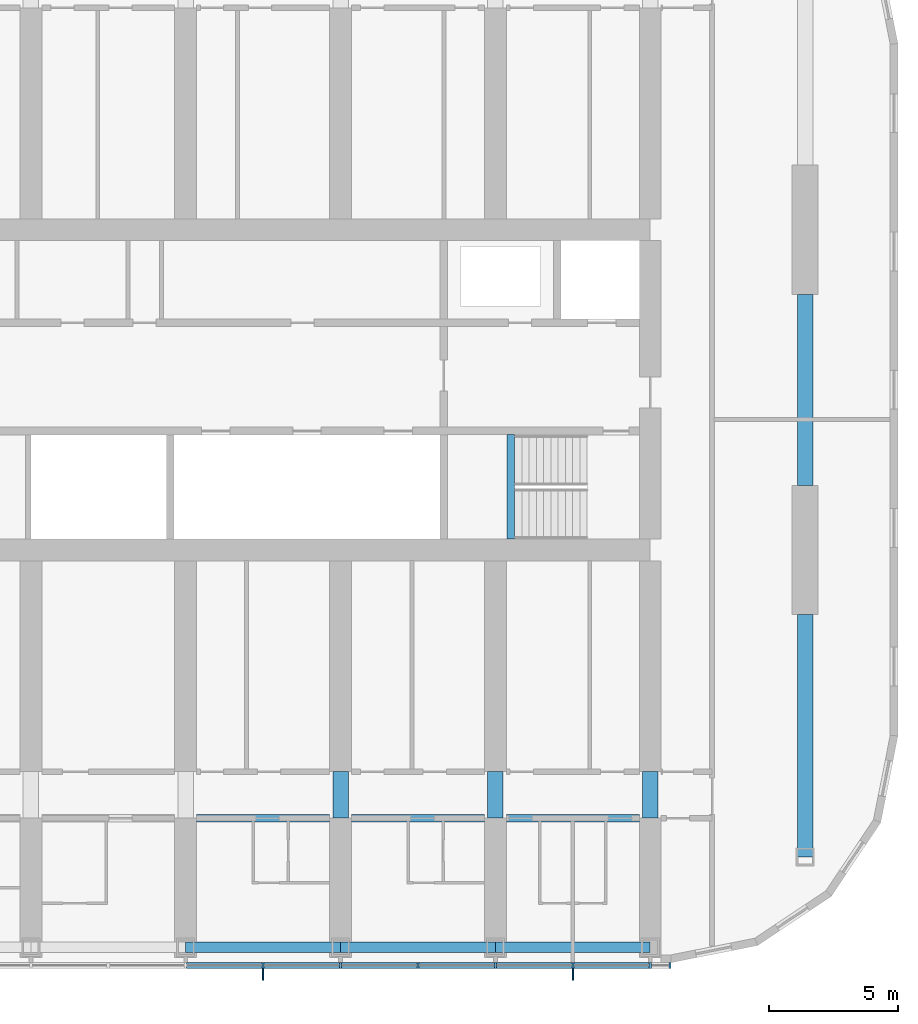
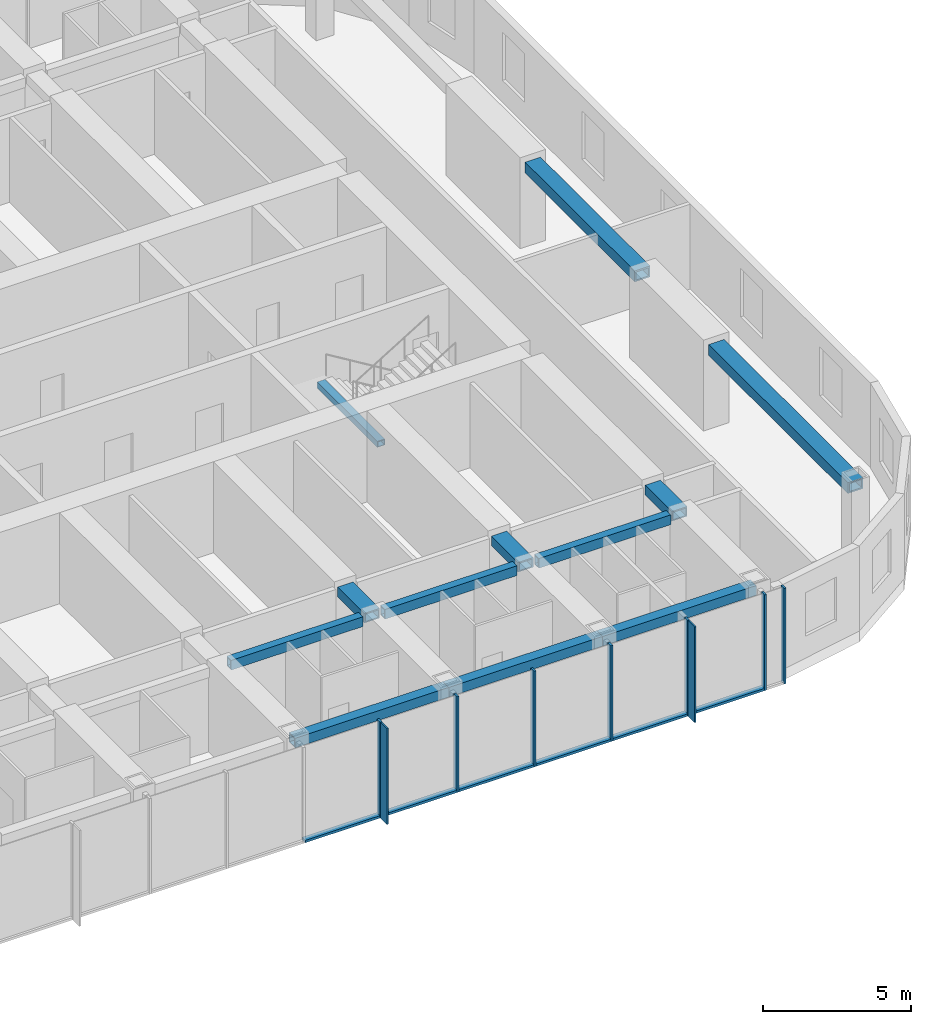
# One storey, part 5 of 27: 15 members, 12 beams, 1 element without a shape of its own.
"""IFC4 building model written with IfcOpenShell, lengths in metres."""

from ifc_helpers import new_model, si_unit, direction, frame, origin, origin_2d, place, context, subcontext, project, spatial, rectangle, hollow_rectangle, extrude, material, material_profile, profile_set, type_object, element, aggregate, save


model = new_model("IFC4")

# Units and contexts
model_context = context("Model", 3, precision=1e-05, world=origin(), true_north=direction((0.0, 1.0)))
body_context = subcontext(model_context, "Body", "Model", "MODEL_VIEW")
ifc_project = project(units=[si_unit("LENGTHUNIT", "METRE"), si_unit("AREAUNIT", "SQUARE_METRE"), si_unit("VOLUMEUNIT", "CUBIC_METRE"), si_unit("PLANEANGLEUNIT", "RADIAN"), si_unit("MASSUNIT", "GRAM", prefix="KILO")], contexts=[model_context])

# Site, building, storey
site_placement = place(None, origin())
site = spatial("IfcSite", under=ifc_project, at=site_placement, CompositionType="ELEMENT")
building_placement = place(site_placement, origin())
building = spatial("IfcBuilding", under=site, at=building_placement, Name="Orbita Commons", CompositionType="ELEMENT")
storey_placement = place(building_placement, frame((0.0, 0.0, 178.60009765625)))
storey = spatial("IfcBuildingStorey", under=building, at=storey_placement, Name="L44", CompositionType="ELEMENT", Elevation=178.60009765625)

# Curtain wall, members
ifc_material_1 = material(Name="Anodised aluminium frame, pale silver", Category="aluminium")
curtain_wall_type = type_object("IfcCurtainWallType", Name="Unitised curtain wall CW-U, full-height vision", PredefinedType="NOTDEFINED", material=ifc_material_1)
curtain_wall_placement = place(storey_placement, origin())
curtain_wall = element("IfcCurtainWall", 1, at=curtain_wall_placement, inside=storey, type_object=curtain_wall_type, Name="Curtain wall south L44", PredefinedType="NOTDEFINED")
ifc_material_2 = material(Name="Anodised aluminium, pale silver", Category="aluminium")
ifc_material_profile_1 = material_profile(ifc_material_2, rectangle(XDim=0.080078125, YDim=0.219970703125, at=origin_2d()), Name="AL 80x220")
ifc_profile_set_1 = profile_set([ifc_material_profile_1], Name="Anodised aluminium, pale silver")
member_type_1 = type_object("IfcMemberType", Name="Curtain wall mullion 80x220", PredefinedType="MULLION", material=ifc_profile_set_1)
member_1_placement = place(storey_placement, frame((51.0, 9.68994140625, -0.4501953125), z_axis=(0.0, 0.0, 1.0), x_axis=(1.0, 0.0, 0.0)))
member_1 = element("IfcMember", 2, at=member_1_placement, type_object=member_type_1, Name="Mullion 13 CW-L44-S", PredefinedType="MULLION", context=body_context, shape_type="SweptSolid", body=[
    extrude(rectangle(XDim=0.080078125, YDim=0.219970703125, at=origin_2d()), origin(), (0.0, 0.0, 1.0), 3.9501953125),
])
member_2_placement = place(storey_placement, frame((54.0, 9.68994140625, -0.4501953125), z_axis=(0.0, 0.0, 1.0), x_axis=(1.0, 0.0, 0.0)))
member_2 = element("IfcMember", 3, at=member_2_placement, type_object=member_type_1, Name="Mullion 14 CW-L44-S", PredefinedType="MULLION", context=body_context, shape_type="SweptSolid", body=[
    extrude(rectangle(XDim=0.080078125, YDim=0.219970703125, at=origin_2d()), origin(), (0.0, 0.0, 1.0), 3.9501953125),
])
member_3_placement = place(storey_placement, frame((57.0, 9.68994140625, -0.4501953125), z_axis=(0.0, 0.0, 1.0), x_axis=(1.0, 0.0, 0.0)))
member_3 = element("IfcMember", 4, at=member_3_placement, type_object=member_type_1, Name="Mullion 15 CW-L44-S", PredefinedType="MULLION", context=body_context, shape_type="SweptSolid", body=[
    extrude(rectangle(XDim=0.080078125, YDim=0.219970703125, at=origin_2d()), origin(), (0.0, 0.0, 1.0), 3.9501953125),
])
member_4_placement = place(storey_placement, frame((60.0, 9.68994140625, -0.4501953125), z_axis=(0.0, 0.0, 1.0), x_axis=(1.0, 0.0, 0.0)))
member_4 = element("IfcMember", 5, at=member_4_placement, type_object=member_type_1, Name="Mullion 16 CW-L44-S", PredefinedType="MULLION", context=body_context, shape_type="SweptSolid", body=[
    extrude(rectangle(XDim=0.080078125, YDim=0.219970703125, at=origin_2d()), origin(), (0.0, 0.0, 1.0), 3.9501953125),
])
member_5_placement = place(storey_placement, frame((63.0, 9.68994140625, -0.4501953125), z_axis=(0.0, 0.0, 1.0), x_axis=(1.0, 0.0, 0.0)))
member_5 = element("IfcMember", 6, at=member_5_placement, type_object=member_type_1, Name="Mullion 17 CW-L44-S", PredefinedType="MULLION", context=body_context, shape_type="SweptSolid", body=[
    extrude(rectangle(XDim=0.080078125, YDim=0.219970703125, at=origin_2d()), origin(), (0.0, 0.0, 1.0), 3.9501953125),
])
member_6_placement = place(storey_placement, frame((66.0, 9.68994140625, -0.4501953125), z_axis=(0.0, 0.0, 1.0), x_axis=(1.0, 0.0, 0.0)))
member_6 = element("IfcMember", 7, at=member_6_placement, type_object=member_type_1, Name="Mullion 18 CW-L44-S", PredefinedType="MULLION", context=body_context, shape_type="SweptSolid", body=[
    extrude(rectangle(XDim=0.080078125, YDim=0.219970703125, at=origin_2d()), origin(), (0.0, 0.0, 1.0), 3.9501953125),
])
member_7_placement = place(storey_placement, frame((66.760009765625, 9.68994140625, -0.4501953125), z_axis=(0.0, 0.0, 1.0), x_axis=(1.0, 0.0, 0.0)))
member_7 = element("IfcMember", 8, at=member_7_placement, type_object=member_type_1, Name="Mullion 19 CW-L44-S", PredefinedType="MULLION", context=body_context, shape_type="SweptSolid", body=[
    extrude(rectangle(XDim=0.080078125, YDim=0.219970703125, at=origin_2d()), origin(), (0.0, 0.0, 1.0), 3.9501953125),
])
ifc_material_3 = material(Name="Anodised aluminium, pale silver", Category="aluminium")
ifc_material_profile_2 = material_profile(ifc_material_3, rectangle(XDim=0.219970703125, YDim=0.10009765625, at=origin_2d()), Name="AL 220x100")
ifc_profile_set_2 = profile_set([ifc_material_profile_2], Name="Anodised aluminium, pale silver")
member_type_2 = type_object("IfcMemberType", Name="Curtain wall stack transom 220x100", PredefinedType="USERDEFINED", material=ifc_profile_set_2)
member_8_placement = place(storey_placement, frame((48.0400390625, 9.68994140625, -0.400146484375), z_axis=(1.0, 0.0, 0.0), x_axis=(0.0, 1.0, 0.0)))
member_8 = element("IfcMember", 9, at=member_8_placement, type_object=member_type_2, Name="Transom 12.1 CW-L44-S", ObjectType="TRANSOM", PredefinedType="USERDEFINED", context=body_context, shape_type="SweptSolid", body=[
    extrude(rectangle(XDim=0.219970703125, YDim=0.10009765625, at=origin_2d()), origin(), (0.0, 0.0, 1.0), 2.919921875),
])
member_9_placement = place(storey_placement, frame((51.0400390625, 9.68994140625, -0.400146484375), z_axis=(1.0, 0.0, 0.0), x_axis=(0.0, 1.0, 0.0)))
member_9 = element("IfcMember", 10, at=member_9_placement, type_object=member_type_2, Name="Transom 13.1 CW-L44-S", ObjectType="TRANSOM", PredefinedType="USERDEFINED", context=body_context, shape_type="SweptSolid", body=[
    extrude(rectangle(XDim=0.219970703125, YDim=0.10009765625, at=origin_2d()), origin(), (0.0, 0.0, 1.0), 2.919921875),
])
member_10_placement = place(storey_placement, frame((54.0400390625, 9.68994140625, -0.400146484375), z_axis=(1.0, 0.0, 0.0), x_axis=(0.0, 1.0, 0.0)))
member_10 = element("IfcMember", 11, at=member_10_placement, type_object=member_type_2, Name="Transom 14.1 CW-L44-S", ObjectType="TRANSOM", PredefinedType="USERDEFINED", context=body_context, shape_type="SweptSolid", body=[
    extrude(rectangle(XDim=0.219970703125, YDim=0.10009765625, at=origin_2d()), origin(), (0.0, 0.0, 1.0), 2.919921875),
])
member_11_placement = place(storey_placement, frame((57.0400390625, 9.68994140625, -0.400146484375), z_axis=(1.0, 0.0, 0.0), x_axis=(0.0, 1.0, 0.0)))
member_11 = element("IfcMember", 12, at=member_11_placement, type_object=member_type_2, Name="Transom 15.1 CW-L44-S", ObjectType="TRANSOM", PredefinedType="USERDEFINED", context=body_context, shape_type="SweptSolid", body=[
    extrude(rectangle(XDim=0.219970703125, YDim=0.10009765625, at=origin_2d()), origin(), (0.0, 0.0, 1.0), 2.919921875),
])
member_12_placement = place(storey_placement, frame((60.0400390625, 9.68994140625, -0.400146484375), z_axis=(1.0, 0.0, 0.0), x_axis=(0.0, 1.0, 0.0)))
member_12 = element("IfcMember", 13, at=member_12_placement, type_object=member_type_2, Name="Transom 16.1 CW-L44-S", ObjectType="TRANSOM", PredefinedType="USERDEFINED", context=body_context, shape_type="SweptSolid", body=[
    extrude(rectangle(XDim=0.219970703125, YDim=0.10009765625, at=origin_2d()), origin(), (0.0, 0.0, 1.0), 2.919921875),
])
member_13_placement = place(storey_placement, frame((63.0400390625, 9.68994140625, -0.400146484375), z_axis=(1.0, 0.0, 0.0), x_axis=(0.0, 1.0, 0.0)))
member_13 = element("IfcMember", 14, at=member_13_placement, type_object=member_type_2, Name="Transom 17.1 CW-L44-S", ObjectType="TRANSOM", PredefinedType="USERDEFINED", context=body_context, shape_type="SweptSolid", body=[
    extrude(rectangle(XDim=0.219970703125, YDim=0.10009765625, at=origin_2d()), origin(), (0.0, 0.0, 1.0), 2.919921875),
])

# Beams
ifc_material_4 = material(Name="Steel ASTM A572 Gr 50 welded plate", Category="steel")
ifc_material_profile_3 = material_profile(ifc_material_4, hollow_rectangle(XDim=0.300048828125, YDim=0.25, WallThickness=0.02490234375, at=origin_2d()), Name="BOX 250x300x25")
ifc_profile_set_3 = profile_set([ifc_material_profile_3], Name="Steel ASTM A572 Gr 50 welded plate")
beam_type_1 = type_object("IfcBeamType", Name="Stair landing beam steel BOX 250x300x25", PredefinedType="BEAM", material=ifc_profile_set_3)
beam_1_placement = place(storey_placement, frame((60.60009765625, 26.2099609375, 1.5498046875), z_axis=(0.0, 1.0, 0.0), x_axis=(-1.0, 0.0, 0.0)))
element("IfcBeam", 15, at=beam_1_placement, inside=storey, type_object=beam_type_1, Name="Stair S2 landing beam L44 1", PredefinedType="BEAM", context=body_context, shape_type="SweptSolid", body=[
    extrude(hollow_rectangle(XDim=0.300048828125, YDim=0.25, WallThickness=0.02490234375, at=origin_2d()), origin(), (0.0, 0.0, 1.0), 4.054931640625),
])
ifc_material_5 = material(Name="Steel ASTM A572 Gr 50 welded plate", Category="steel")
ifc_material_profile_4 = material_profile(ifc_material_5, hollow_rectangle(XDim=0.300048828125, YDim=0.39990234375, WallThickness=0.0400390625, at=origin_2d()), Name="BOX 400x300x40")
ifc_profile_set_4 = profile_set([ifc_material_profile_4], Name="Steel ASTM A572 Gr 50 welded plate")
beam_type_2 = type_object("IfcBeamType", Name="Steel corridor link BOX 400x300x40", PredefinedType="BEAM", material=ifc_profile_set_4)
for number, where, z_axis, x_axis, name in (
    (16, (48.425048828125, 15.39990234375, 3.2998046875), (1.0, 0.0, 0.0), (0.0, 1.0, 0.0), "Corridor beam SA 9-10 L44"),
    (17, (54.425048828125, 15.39990234375, 3.2998046875), (1.0, 0.0, 0.0), (0.0, 1.0, 0.0), "Corridor beam SA 10-11 L44"),
    (18, (60.425048828125, 15.39990234375, 3.2998046875), (1.0, 0.0, 0.0), (0.0, 1.0, 0.0), "Corridor beam SA 11-12 L44"),
):
    element("IfcBeam", number, at=place(storey_placement, frame(where, z_axis=z_axis, x_axis=x_axis)), inside=storey, type_object=beam_type_2, Name=name, PredefinedType="BEAM", context=body_context, shape_type="SweptSolid", body=[
        extrude(hollow_rectangle(XDim=0.300048828125, YDim=0.39990234375, WallThickness=0.0400390625, at=origin_2d()), origin(), (0.0, 0.0, 1.0), 5.14990234375),
    ])
ifc_material_6 = material(Name="Steel ASTM A572 Gr 50 welded plate", Category="steel")
ifc_material_profile_5 = material_profile(ifc_material_6, hollow_rectangle(XDim=0.60009765625, YDim=0.39990234375, WallThickness=0.050048828125, at=origin_2d()), Name="BOX 400x600x50")
ifc_profile_set_5 = profile_set([ifc_material_profile_5], Name="Steel ASTM A572 Gr 50 welded plate")
beam_type_3 = type_object("IfcBeamType", Name="Steel coupling link BOX 400x600x50", PredefinedType="LINTEL", material=ifc_profile_set_5)
for number, where, z_axis, x_axis, name in (
    (19, (54.0, 15.39990234375, 3.2998046875), (0.0, 1.0, 0.0), (-1.0, 0.0, 0.0), "Coupling beam 10 south L44"),
    (20, (60.0, 15.39990234375, 3.2998046875), (0.0, 1.0, 0.0), (-1.0, 0.0, 0.0), "Coupling beam 11 south L44"),
    (21, (66.0, 15.39990234375, 3.2998046875), (0.0, 1.0, 0.0), (-1.0, 0.0, 0.0), "Coupling beam 12 south L44"),
):
    element("IfcBeam", number, at=place(storey_placement, frame(where, z_axis=z_axis, x_axis=x_axis)), inside=storey, type_object=beam_type_3, Name=name, PredefinedType="LINTEL", context=body_context, shape_type="SweptSolid", body=[
        extrude(hollow_rectangle(XDim=0.60009765625, YDim=0.39990234375, WallThickness=0.050048828125, at=origin_2d()), origin(), (0.0, 0.0, 1.0), 1.800048828125),
    ])
ifc_material_7 = material(Name="Steel ASTM A572 Gr 50 welded plate", Category="steel")
ifc_material_profile_6 = material_profile(ifc_material_7, hollow_rectangle(XDim=0.60009765625, YDim=0.449951171875, WallThickness=0.06005859375, at=origin_2d()), Name="BOX 450x600x60")
ifc_profile_set_6 = profile_set([ifc_material_profile_6], Name="Steel ASTM A572 Gr 50 welded plate")
beam_type_4 = type_object("IfcBeamType", Name="Steel end frame link BOX 450x600x60", PredefinedType="BEAM", material=ifc_profile_set_6)
beam_2_placement = place(storey_placement, frame((72.0, 13.89990234375, 3.27490234375), z_axis=(0.0, 1.0, 0.0), x_axis=(-1.0, 0.0, 0.0)))
element("IfcBeam", 22, at=beam_2_placement, inside=storey, type_object=beam_type_4, Name="End frame beam 13 B-C L44", PredefinedType="BEAM", context=body_context, shape_type="SweptSolid", body=[
    extrude(hollow_rectangle(XDim=0.60009765625, YDim=0.449951171875, WallThickness=0.06005859375, at=origin_2d()), origin(), (0.0, 0.0, 1.0), 9.400146484375),
])
beam_3_placement = place(storey_placement, frame((72.0, 28.300048828125, 3.27490234375), z_axis=(0.0, 1.0, 0.0), x_axis=(-1.0, 0.0, 0.0)))
element("IfcBeam", 23, at=beam_3_placement, inside=storey, type_object=beam_type_4, Name="End frame beam 13 C-D L44", PredefinedType="BEAM", context=body_context, shape_type="SweptSolid", body=[
    extrude(hollow_rectangle(XDim=0.60009765625, YDim=0.449951171875, WallThickness=0.06005859375, at=origin_2d()), origin(), (0.0, 0.0, 1.0), 7.39990234375),
])
ifc_material_8 = material(Name="Steel ASTM A572 Gr 50 welded plate", Category="steel")
ifc_material_profile_7 = material_profile(ifc_material_8, hollow_rectangle(XDim=0.39990234375, YDim=0.39990234375, WallThickness=0.0400390625, at=origin_2d()), Name="BOX 400x400x40")
ifc_profile_set_7 = profile_set([ifc_material_profile_7], Name="Steel ASTM A572 Gr 50 welded plate")
beam_type_5 = type_object("IfcBeamType", Name="Steel spandrel BOX 400x400x40", PredefinedType="SPANDREL", material=ifc_profile_set_7)
for number, where, z_axis, x_axis, name in (
    (24, (48.0, 10.39990234375, 3.2998046875), (1.0, 0.0, 0.0), (0.0, 1.0, 0.0), "Spandrel beam B 9-10 L44"),
    (25, (54.0, 10.39990234375, 3.2998046875), (1.0, 0.0, 0.0), (0.0, 1.0, 0.0), "Spandrel beam B 10-11 L44"),
    (26, (60.0, 10.39990234375, 3.2998046875), (1.0, 0.0, 0.0), (0.0, 1.0, 0.0), "Spandrel beam B 11-12 L44"),
):
    element("IfcBeam", number, at=place(storey_placement, frame(where, z_axis=z_axis, x_axis=x_axis)), inside=storey, type_object=beam_type_5, Name=name, PredefinedType="SPANDREL", context=body_context, shape_type="SweptSolid", body=[
        extrude(hollow_rectangle(XDim=0.39990234375, YDim=0.39990234375, WallThickness=0.0400390625, at=origin_2d()), origin(), (0.0, 0.0, 1.0), 6.0),
    ])

# Member
ifc_material_9 = material(Name="Anodised aluminium, pale silver", Category="aluminium")
ifc_material_profile_8 = material_profile(ifc_material_9, rectangle(XDim=0.06005859375, YDim=0.449951171875, at=origin_2d()), Name="FIN 60x450")
ifc_profile_set_8 = profile_set([ifc_material_profile_8], Name="Anodised aluminium, pale silver")
member_type_3 = type_object("IfcMemberType", Name="Vertical fin 60x450 pale aluminium", PredefinedType="USERDEFINED", material=ifc_profile_set_8)
member_14_placement = place(storey_placement, frame((51.0, 9.35498046875, -0.4501953125), z_axis=(0.0, 0.0, 1.0), x_axis=(1.0, 0.0, 0.0)))
member_14 = element("IfcMember", 27, at=member_14_placement, type_object=member_type_3, Name="Fin 13 CW-L44-S", ObjectType="FIN", PredefinedType="USERDEFINED", context=body_context, shape_type="SweptSolid", body=[
    extrude(rectangle(XDim=0.06005859375, YDim=0.449951171875, at=origin_2d()), origin(), (0.0, 0.0, 1.0), 3.9501953125),
])

member_15_placement = place(storey_placement, frame((63.0, 9.35498046875, -0.4501953125), z_axis=(0.0, 0.0, 1.0), x_axis=(1.0, 0.0, 0.0)))
member_15 = element("IfcMember", 28, at=member_15_placement, type_object=member_type_3, Name="Fin 17 CW-L44-S", ObjectType="FIN", PredefinedType="USERDEFINED", context=body_context, shape_type="SweptSolid", body=[
    extrude(rectangle(XDim=0.06005859375, YDim=0.449951171875, at=origin_2d()), origin(), (0.0, 0.0, 1.0), 3.9501953125),
])

aggregate(curtain_wall, [member_1, member_14, member_2, member_3, member_4, member_5, member_15, member_6, member_7, member_8, member_9, member_10, member_11, member_12, member_13])

save(model, "model.ifc")
